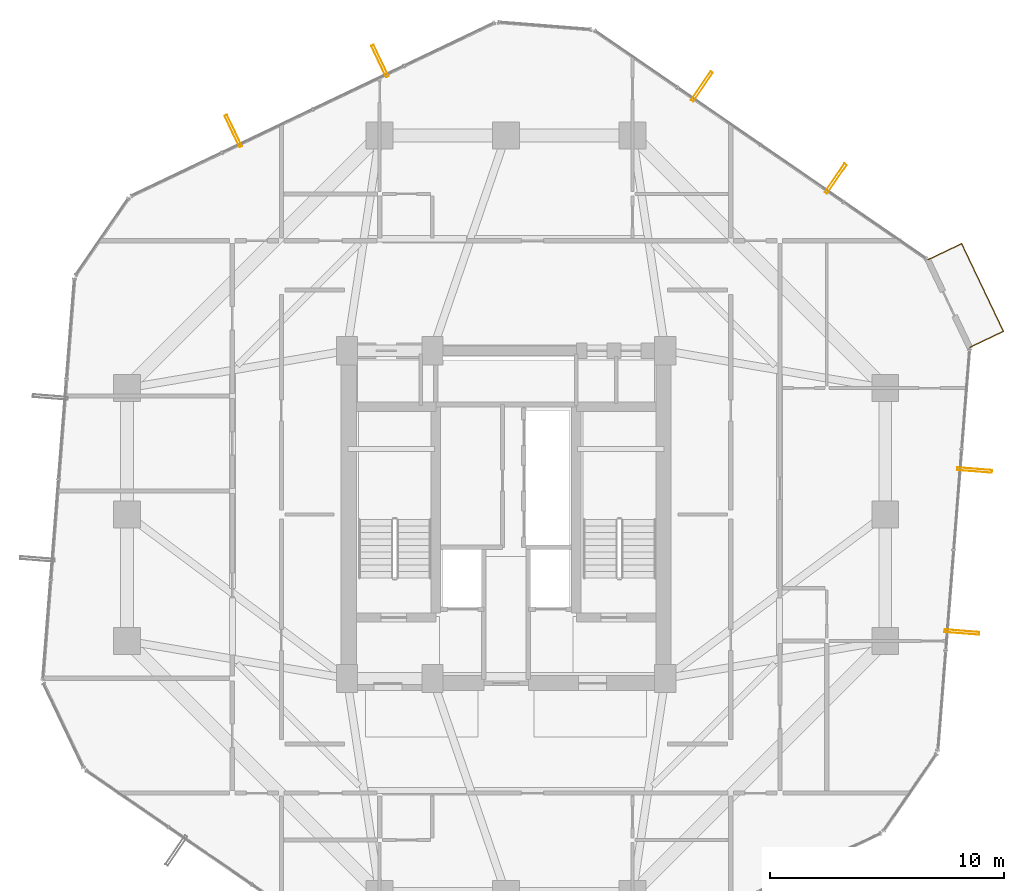
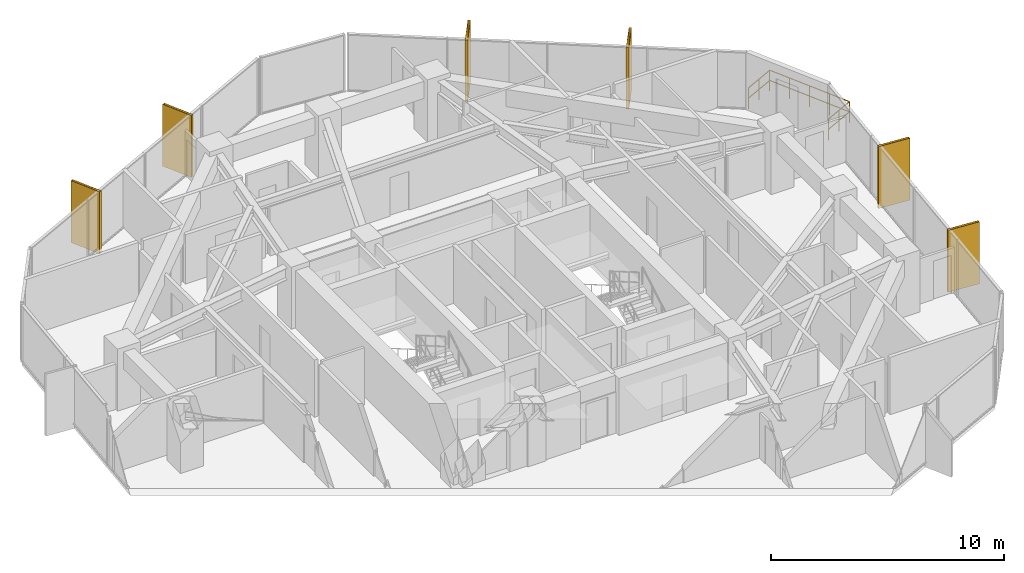
# One storey, part 30 of 30: 6 shading devices, 1 railing.
"""IFC4 building model written with IfcOpenShell, lengths in metres."""

from ifc_helpers import new_model, si_unit, direction, frame, origin, origin_2d, place, context, subcontext, project, spatial, hollow_rectangle, circle, extrude, material, material_profile, profile_set, type_object, element, save


model = new_model("IFC4")

# Units and contexts
model_context = context("Model", 3, precision=1e-05, world=origin(), true_north=direction((0.0, 1.0)))
body_context = subcontext(model_context, "Body", "Model", "MODEL_VIEW")
ifc_project = project(units=[si_unit("LENGTHUNIT", "METRE"), si_unit("AREAUNIT", "SQUARE_METRE"), si_unit("VOLUMEUNIT", "CUBIC_METRE"), si_unit("PLANEANGLEUNIT", "RADIAN"), si_unit("MASSUNIT", "GRAM", prefix="KILO")], contexts=[model_context])

# Site, building, storey
site_placement = place(None, origin())
site = spatial("IfcSite", under=ifc_project, at=site_placement, CompositionType="ELEMENT")
building_placement = place(site_placement, origin())
building = spatial("IfcBuilding", under=site, at=building_placement, Name="Veraguas Prism Commons", CompositionType="ELEMENT")
storey_placement = place(building_placement, frame((0.0, 0.0, 113.25)))
storey = spatial("IfcBuildingStorey", under=building, at=storey_placement, Name="L31", CompositionType="ELEMENT", Elevation=113.25)

# Shading devices
ifc_material_1 = material(Name="Anodised aluminium EN AW-6063 T6", Category="aluminium")
ifc_material_profile = material_profile(ifc_material_1, hollow_rectangle(XDim=0.1201171875, YDim=1.489990234375, WallThickness=0.006103515625, at=origin_2d()), Name="FIN120X1490X6")
ifc_profile_set = profile_set([ifc_material_profile], Name="Anodised aluminium EN AW-6063 T6")
shading_device_type = type_object("IfcShadingDeviceType", Name="Deep Pale-Metal Vertical Solar Fin 120x1490", PredefinedType="USERDEFINED", material=ifc_profile_set)
for number, where, z_axis, x_axis, name in (
    (1, (38.08447265625, 38.35302734375, -0.22998046875), (0.0, 0.0, 1.0), (-0.823929414409, 0.566692438693, 0.0), "Vertical Pale-Metal Solar Fin L31-F1A"),
    (2, (32.364990234375, 42.286865234375, -0.22998046875), (0.0, 0.0, 1.0), (-0.823929414409, 0.566692438693, 0.0), "Vertical Pale-Metal Solar Fin L31-F1B"),
    (3, (18.6123046875, 43.3740234375, -0.22998046875), (0.0, 0.0, 1.0), (-0.902734755245, -0.430197584457, 0.0), "Vertical Pale-Metal Solar Fin L31-F2A"),
    (4, (12.345703125, 40.3876953125, -0.22998046875), (0.0, 0.0, 1.0), (-0.902734755245, -0.430197584457, 0.0), "Vertical Pale-Metal Solar Fin L31-F2B"),
    (5, (43.472412109375, 18.97900390625, -0.22998046875), (0.0, 0.0, 1.0), (0.078803600935, 0.99689016069, 0.0), "Vertical Pale-Metal Solar Fin L31-F6A"),
    (6, (44.019287109375, 25.899169921875, -0.22998046875), (0.0, 0.0, 1.0), (0.078803600935, 0.99689016069, 0.0), "Vertical Pale-Metal Solar Fin L31-F6B"),
):
    element("IfcShadingDevice", number, at=place(storey_placement, frame(where, z_axis=z_axis, x_axis=x_axis)), inside=storey, type_object=shading_device_type, Name=name, ObjectType="FIN", PredefinedType="USERDEFINED", context=body_context, shape_type="SweptSolid", body=[
        extrude(hollow_rectangle(XDim=0.1201171875, YDim=1.489990234375, WallThickness=0.006103515625, at=origin_2d()), origin(), (0.0, 0.0, 1.0), 3.25),
    ])

# Railing
ifc_material_2 = material(Name="Stainless steel AISI 316", Category="steel")
railing_type = type_object("IfcRailingType", Name="Loggia and Sky Pool Glazed Balustrade 1120", PredefinedType="BALUSTRADE", material=ifc_material_2)
railing_placement = place(storey_placement, frame((43.806640625, 31.138427734375, 0.0)))
element("IfcRailing", 7, at=railing_placement, inside=storey, type_object=railing_type, Name="Recessed Corner Loggia L31-C1 Guard", PredefinedType="BALUSTRADE", context=body_context, shape_type="SweptSolid", body=[
    extrude(circle(Radius=0.02392578125, at=origin_2d()), frame((0.0, 0.0, 1.09619140625), z_axis=(0.902691223684, 0.430288920011, 0.0), x_axis=(-0.430288920011, 0.902691223684, 0.0)), (0.0, 0.0, 1.0), 1.60009765625),
    extrude(circle(Radius=0.02392578125, at=origin_2d()), frame((0.0, 0.0, 0.56005859375), z_axis=(0.902691223684, 0.430288920011, 0.0), x_axis=(-0.430288920011, 0.902691223684, 0.0)), (0.0, 0.0, 1.0), 1.60009765625),
    extrude(circle(Radius=0.02392578125, at=origin_2d()), frame((1.4443359375, 0.6884765625, 1.09619140625), z_axis=(-0.430202829365, 0.90273225577, 0.0), x_axis=(-0.90273225577, -0.430202829365, 0.0)), (0.0, 0.0, 1.0), 4.153076171875),
    extrude(circle(Radius=0.02392578125, at=origin_2d()), frame((1.4443359375, 0.6884765625, 0.56005859375), z_axis=(-0.430202829365, 0.90273225577, 0.0), x_axis=(-0.90273225577, -0.430202829365, 0.0)), (0.0, 0.0, 1.0), 4.153076171875),
    extrude(circle(Radius=0.02392578125, at=origin_2d()), frame((-0.34228515625, 4.4375, 1.09619140625), z_axis=(-0.902750485669, -0.430164573884, 0.0), x_axis=(0.430164573884, -0.902750485669, 0.0)), (0.0, 0.0, 1.0), 1.599853515625),
    extrude(circle(Radius=0.02392578125, at=origin_2d()), frame((-0.34228515625, 4.4375, 0.56005859375), z_axis=(-0.902750485669, -0.430164573884, 0.0), x_axis=(0.430164573884, -0.902750485669, 0.0)), (0.0, 0.0, 1.0), 1.599853515625),
    extrude(circle(Radius=0.02099609375, at=origin_2d()), origin(), (0.0, 0.0, 1.0), 1.072021484375),
    extrude(circle(Radius=0.02099609375, at=origin_2d()), frame((0.72216796875, 0.34423828125, 0.0)), (0.0, 0.0, 1.0), 1.072021484375),
    extrude(circle(Radius=0.02099609375, at=origin_2d()), frame((1.4443359375, 0.6884765625, 0.0)), (0.0, 0.0, 1.0), 1.072021484375),
    extrude(circle(Radius=0.02099609375, at=origin_2d()), frame((0.99755859375, 1.625732421875, 0.0)), (0.0, 0.0, 1.0), 1.072021484375),
    extrude(circle(Radius=0.02099609375, at=origin_2d()), frame((0.551025390625, 2.56298828125, 0.0)), (0.0, 0.0, 1.0), 1.072021484375),
    extrude(circle(Radius=0.02099609375, at=origin_2d()), frame((0.1044921875, 3.500244140625, 0.0)), (0.0, 0.0, 1.0), 1.072021484375),
    extrude(circle(Radius=0.02099609375, at=origin_2d()), frame((-0.34228515625, 4.4375, 0.0)), (0.0, 0.0, 1.0), 1.072021484375),
    extrude(circle(Radius=0.02099609375, at=origin_2d()), frame((-1.064453125, 4.09326171875, 0.0)), (0.0, 0.0, 1.0), 1.072021484375),
    extrude(circle(Radius=0.02099609375, at=origin_2d()), frame((-1.78662109375, 3.749267578125, 0.0)), (0.0, 0.0, 1.0), 1.072021484375),
])

save(model, "model.ifc")
